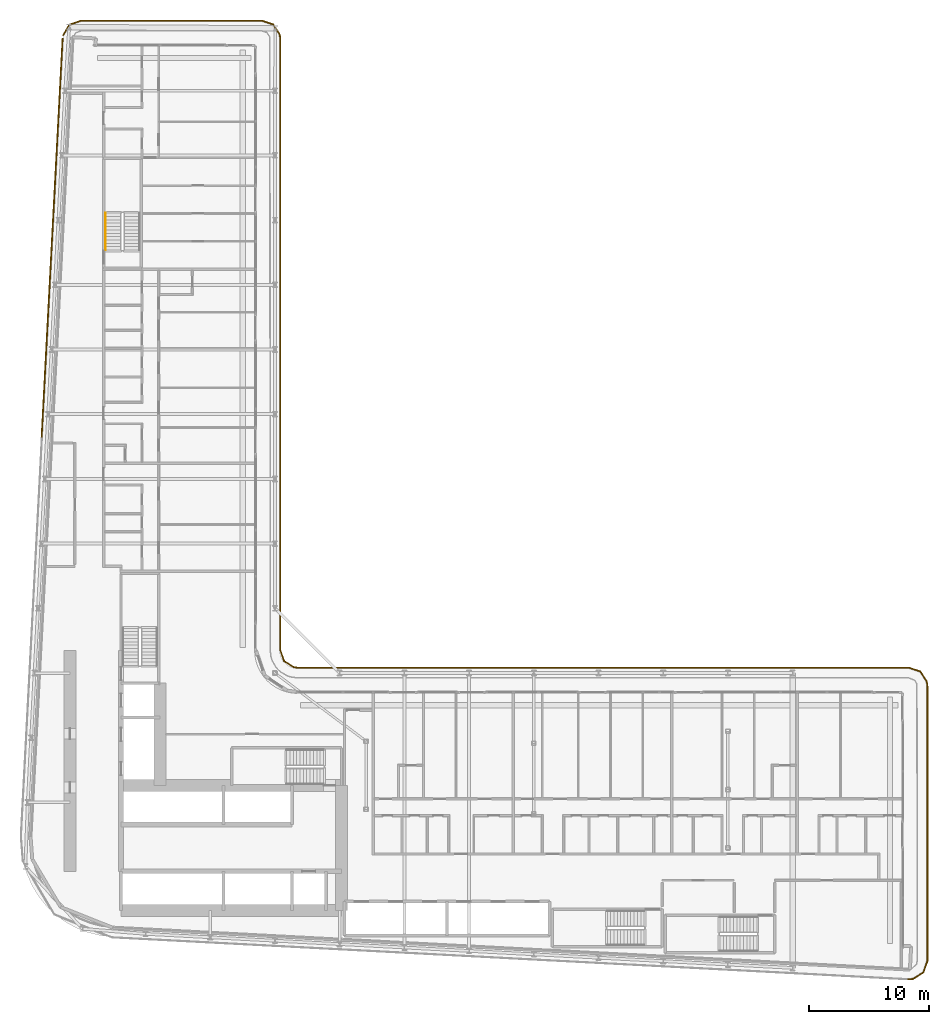
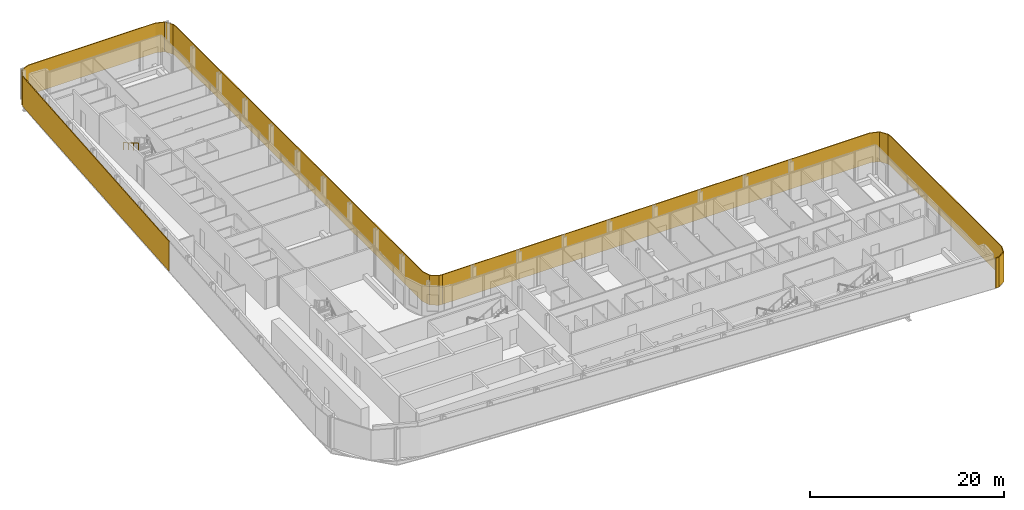
# One storey, part 26 of 28: 3 shading devices, 1 railing.
"""IFC4 building model written with IfcOpenShell, lengths in metres."""

from ifc_helpers import new_model, si_unit, direction, frame, origin, origin_2d, place, context, subcontext, project, spatial, polyline, rectangle, circle, outline, extrude, material, layer, layer_set, type_object, element, save


model = new_model("IFC4")

# Units and contexts
model_context = context("Model", 3, precision=1e-05, world=origin(), true_north=direction((0.0, 1.0)))
body_context = subcontext(model_context, "Body", "Model", "MODEL_VIEW")
ifc_project = project(units=[si_unit("LENGTHUNIT", "METRE"), si_unit("AREAUNIT", "SQUARE_METRE"), si_unit("VOLUMEUNIT", "CUBIC_METRE"), si_unit("PLANEANGLEUNIT", "RADIAN"), si_unit("MASSUNIT", "GRAM", prefix="KILO")], contexts=[model_context])

# Site, building, storey
site_placement = place(None, origin())
site = spatial("IfcSite", under=ifc_project, at=site_placement, CompositionType="ELEMENT")
building_placement = place(site_placement, origin())
building = spatial("IfcBuilding", under=site, at=building_placement, Name="Kheshtan School and Residences Tower", CompositionType="ELEMENT")
storey_placement = place(building_placement, frame((0.0, 0.0, 77.300048828125)))
storey = spatial("IfcBuildingStorey", under=building, at=storey_placement, Name="L18", CompositionType="ELEMENT", Elevation=77.300048828125)

# Shading devices
ifc_material_1 = material(Name="Terracotta baguette, extruded ceramic", Category="masonry")
ifc_layer_1 = layer(ifc_material_1, 0.10009765625)
ifc_layer_set_1 = layer_set([ifc_layer_1], Name="Ledge screen, terracotta baguettes")
shading_device_type_1 = type_object("IfcShadingDeviceType", Name="Ledge screen, terracotta baguettes", PredefinedType="USERDEFINED", material=ifc_layer_set_1)
shading_device_1_placement = place(storey_placement, frame((28.9990234375, 81.93408203125, 0.0), z_axis=(0.0, 0.0, 1.0), x_axis=(0.052562536748, 0.998617634398, 0.0)))
element("IfcShadingDevice", 1, at=shading_device_1_placement, inside=storey, type_object=shading_device_type_1, Name="Screen L18 5", ObjectType="BAGUETTE", PredefinedType="USERDEFINED", context=body_context, shape_type="SweptSolid", body=[
    extrude(rectangle(XDim=33.341064453125, YDim=0.10009765625, at=origin_2d()), origin(), (0.0, 0.0, 1.0), 3.75),
])
ifc_material_2 = material(Name="Terracotta lattice, extruded ceramic", Category="masonry")
ifc_layer_2 = layer(ifc_material_2, 0.10009765625)
ifc_layer_set_2 = layer_set([ifc_layer_2], Name="Loggia screen, terracotta lattice")
shading_device_type_2 = type_object("IfcShadingDeviceType", Name="Loggia screen, terracotta lattice", PredefinedType="USERDEFINED", material=ifc_layer_set_2)
shading_device_2_placement = place(storey_placement, origin())
element("IfcShadingDevice", 2, at=shading_device_2_placement, inside=storey, type_object=shading_device_type_2, Name="Screen L18 1", ObjectType="SCREEN", PredefinedType="USERDEFINED", context=body_context, shape_type="SweptSolid", body=[
    extrude(outline(polyline([(29.949951171875, 98.783935546875), (30.468017578125, 99.656982421875), (31.423095703125, 100.0), (46.5, 100.0), (47.4130859375, 99.68994140625), (47.948974609375, 98.887939453125), (48.0, 98.5), (48.0, 47.5), (48.31005859375, 46.5869140625), (49.112060546875, 46.051025390625), (49.5, 46.0), (49.512939453125, 46.09912109375), (49.14794921875, 46.14697265625), (48.39404296875, 46.65087890625), (48.10009765625, 47.51708984375), (48.10009765625, 98.507080078125), (48.044921875, 98.924072265625), (47.47705078125, 99.77392578125), (46.51708984375, 100.10009765625), (31.406005859375, 100.10009765625), (30.39990234375, 99.739013671875), (29.864013671875, 98.8349609375), (29.949951171875, 98.783935546875)])), origin(), (0.0, 0.0, 1.0), 3.75),
])
shading_device_3_placement = place(storey_placement, origin())
element("IfcShadingDevice", 3, at=shading_device_3_placement, inside=storey, type_object=shading_device_type_2, Name="Screen L18 2", ObjectType="SCREEN", PredefinedType="USERDEFINED", context=body_context, shape_type="SweptSolid", body=[
    extrude(outline(polyline([(49.5, 46.0), (100.5, 46.0), (101.4130859375, 45.68994140625), (101.948974609375, 44.887939453125), (102.0, 44.5), (102.0, 21.5810546875), (101.669921875, 20.64208984375), (100.823974609375, 20.116943359375), (100.4208984375, 20.0830078125), (100.428955078125, 19.98291015625), (100.85595703125, 20.01904296875), (101.7529296875, 20.575927734375), (102.10009765625, 21.56396484375), (102.10009765625, 44.507080078125), (102.044921875, 44.924072265625), (101.47705078125, 45.77392578125), (100.51708984375, 46.10009765625), (49.5, 46.10009765625), (49.5, 46.0)])), origin(), (0.0, 0.0, 1.0), 3.75),
])

# Railing
ifc_material_3 = material(Name="Stainless steel handrail", Category="steel")
railing_type = type_object("IfcRailingType", Name="Stair handrail 900", PredefinedType="HANDRAIL", material=ifc_material_3)
railing_placement = place(storey_placement, frame((33.449951171875, 83.97998046875, 2.112548828125)))
element("IfcRailing", 4, at=railing_placement, inside=storey, type_object=railing_type, Name="L18 ST3 stair handrail 2", PredefinedType="HANDRAIL", context=body_context, shape_type="SweptSolid", body=[
    extrude(circle(Radius=0.02392578125, at=origin_2d()), frame((0.0, 0.0, 0.8759765625), z_axis=(0.0, -0.864920483161, 0.501908913857), x_axis=(1.0, 0.0, 0.0)), (0.0, 0.0, 1.0), 3.56103515625),
    extrude(circle(Radius=0.02099609375, at=origin_2d()), origin(), (0.0, 0.0, 1.0), 0.851806640625),
    extrude(circle(Radius=0.02099609375, at=origin_2d()), frame((0.0, -1.026611328125, 0.595703125)), (0.0, 0.0, 1.0), 0.851806640625),
    extrude(circle(Radius=0.02099609375, at=origin_2d()), frame((0.0, -2.053466796875, 1.191650390625)), (0.0, 0.0, 1.0), 0.851806640625),
    extrude(circle(Radius=0.02099609375, at=origin_2d()), frame((0.0, -3.080078125, 1.787353515625)), (0.0, 0.0, 1.0), 0.851806640625),
])

save(model, "model.ifc")
